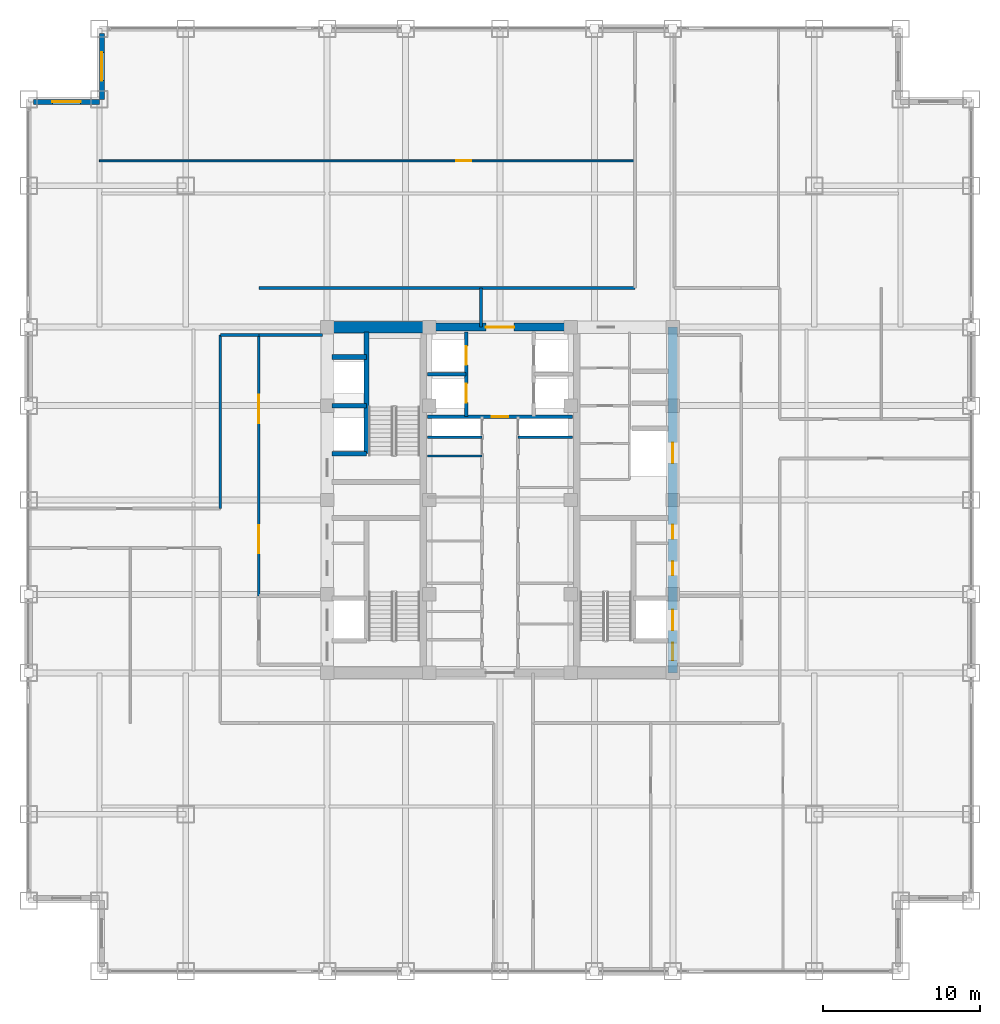
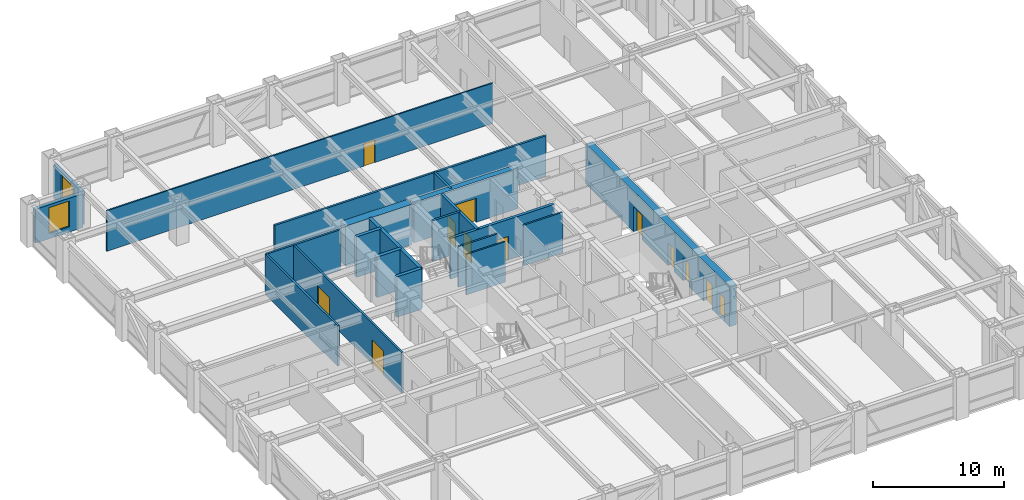
# One storey, part 22 of 25: 22 walls, 12 doors, 2 windows, 14 openings.
"""IFC4 building model written with IfcOpenShell, lengths in metres."""

from ifc_helpers import new_model, si_unit, direction, frame, frame_2d, origin, place, context, subcontext, project, spatial, rectangle, extrude, source, transform, mapped, material, layer, layer_set, type_object, element, fill, save


model = new_model("IFC4")

# Units and contexts
model_context = context("Model", 3, precision=1e-05, world=origin(), true_north=direction((0.0, 1.0)))
body_context = subcontext(model_context, "Body", "Model", "MODEL_VIEW")
ifc_project = project(units=[si_unit("LENGTHUNIT", "METRE"), si_unit("AREAUNIT", "SQUARE_METRE"), si_unit("VOLUMEUNIT", "CUBIC_METRE"), si_unit("PLANEANGLEUNIT", "RADIAN"), si_unit("MASSUNIT", "GRAM", prefix="KILO")], contexts=[model_context])

# Site, building, storey
site_placement = place(None, origin())
site = spatial("IfcSite", under=ifc_project, at=site_placement, CompositionType="ELEMENT")
building_placement = place(site_placement, origin())
building = spatial("IfcBuilding", under=site, at=building_placement, Name="Khorayat Bourse Tower", CompositionType="ELEMENT")
storey_placement = place(building_placement, frame((0.0, 0.0, 199.10009765625)))
storey = spatial("IfcBuildingStorey", under=building, at=storey_placement, Name="L46", CompositionType="ELEMENT", Elevation=199.10009765625)

# Wall, openings, doors
ifc_material_1 = material(Name="Concrete C60/75", Category="concrete")
ifc_layer_1 = layer(ifc_material_1, 0.60009765625)
ifc_layer_set_1 = layer_set([ifc_layer_1], Name="Concrete C60/75")
wall_type_1 = type_object("IfcWallType", Name="WAL-CORE-600", PredefinedType="SHEAR", material=ifc_layer_set_1)
shared_shape_1 = source(origin(), body_context, "Body", "SweptSolid", [
    extrude(rectangle(XDim=22.0, YDim=0.60009765625, at=frame_2d((11.0, 0.0))), origin(), (0.0, 0.0, 1.0), 3.77978515625),
])
wall_1_placement = place(storey_placement, frame((11.0, -11.0, 0.0), z_axis=(0.0, 0.0, 1.0), x_axis=(0.0, 1.0, 0.0)))
wall_1 = element("IfcWall", 1, at=wall_1_placement, inside=storey, type_object=wall_type_1, Name="L46 Core Shear Wall CORE-E", PredefinedType="SHEAR", context=body_context, shape_type="MappedRepresentation", body=[
    mapped(shared_shape_1, transform((0.0, 0.0, 0.0), scale=1.0)),
])
shared_shape_2 = source(origin(), body_context, "Body", "SweptSolid", [
    extrude(rectangle(XDim=1.10009765625, YDim=2.199951171875, at=frame_2d((0.550048828125, 1.10009765625))), frame((0.0, 0.31005859375, 0.0), z_axis=(0.0, -1.0, 0.0), x_axis=(1.0, 0.0, 0.0)), (0.0, 0.0, 1.0), 0.6201171875),
])
opening_1_placement = place(wall_1_placement, frame((0.800048828125, 0.0, 0.0)))
opening_1 = element("IfcOpeningElement", 2, at=opening_1_placement, cuts=wall_1, Name="Opening DI-01", PredefinedType="OPENING", context=body_context, shape_type="MappedRepresentation", body=[
    mapped(shared_shape_2, transform((0.0, 0.0, 0.0), scale=1.0)),
])
shared_shape_3 = source(origin(), body_context, "Body", "SweptSolid", [
    extrude(rectangle(XDim=0.89990234375, YDim=2.14990234375, at=frame_2d((0.449951171875, 1.074951171875))), frame((0.0, 0.31005859375, 0.0), z_axis=(0.0, -1.0, 0.0), x_axis=(1.0, 0.0, 0.0)), (0.0, 0.0, 1.0), 0.6201171875),
])
opening_2_placement = place(wall_1_placement, frame((6.199951171875, 0.0, 0.0)))
opening_2 = element("IfcOpeningElement", 3, at=opening_2_placement, cuts=wall_1, Name="Opening DI-06", PredefinedType="OPENING", context=body_context, shape_type="MappedRepresentation", body=[
    mapped(shared_shape_3, transform((0.0, 0.0, 0.0), scale=1.0)),
])
opening_3_placement = place(wall_1_placement, frame((8.52490234375, 0.0, 0.0)))
opening_3 = element("IfcOpeningElement", 4, at=opening_3_placement, cuts=wall_1, Name="Opening DI-06", PredefinedType="OPENING", context=body_context, shape_type="MappedRepresentation", body=[
    mapped(shared_shape_3, transform((0.0, 0.0, 0.0), scale=1.0)),
])
shared_shape_4 = source(origin(), body_context, "Body", "SweptSolid", [
    extrude(rectangle(XDim=1.300048828125, YDim=2.300048828125, at=frame_2d((0.64990234375, 1.14990234375))), frame((0.0, 0.31005859375, 0.0), z_axis=(0.0, -1.0, 0.0), x_axis=(1.0, 0.0, 0.0)), (0.0, 0.0, 1.0), 0.6201171875),
])
opening_4_placement = place(wall_1_placement, frame((2.699951171875, 0.0, 0.0)))
opening_4 = element("IfcOpeningElement", 5, at=opening_4_placement, cuts=wall_1, Name="Opening LD-02", PredefinedType="OPENING", context=body_context, shape_type="MappedRepresentation", body=[
    mapped(shared_shape_4, transform((0.0, 0.0, 0.0), scale=1.0)),
])
opening_5_placement = place(wall_1_placement, frame((13.35009765625, 0.0, 0.0)))
opening_5 = element("IfcOpeningElement", 6, at=opening_5_placement, cuts=wall_1, Name="Opening LD-02", PredefinedType="OPENING", context=body_context, shape_type="MappedRepresentation", body=[
    mapped(shared_shape_4, transform((0.0, 0.0, 0.0), scale=1.0)),
])
ifc_material_2 = material(Name="Fire-rated steel acoustic leaf", Category="steel")
door_type_1 = type_object("IfcDoorType", Name="DR-INT-STAIR-1100", OperationType="NOTDEFINED", PredefinedType="DOOR", material=ifc_material_2)
shared_shape_5 = source(origin(), body_context, "Body", "SweptSolid", [
    extrude(rectangle(XDim=1.10009765625, YDim=2.199951171875, at=frame_2d((0.550048828125, 1.10009765625))), frame((0.0, 0.02490234375, 0.0), z_axis=(0.0, -1.0, 0.0), x_axis=(1.0, 0.0, 0.0)), (0.0, 0.0, 1.0), 0.050048828125),
])
door_1_placement = place(opening_1_placement, origin())
door_1 = element("IfcDoor", 7, at=door_1_placement, inside=storey, type_object=door_type_1, Name="L46 Exit Stair 3 Door", OperationType="SINGLE_SWING_LEFT", OverallHeight=2.199951171875, OverallWidth=1.10009765625, PredefinedType="DOOR", context=body_context, shape_type="MappedRepresentation", body=[
    mapped(shared_shape_5, transform((0.0, 0.0, 0.0), scale=1.0)),
])
fill(opening_1, door_1)
ifc_material_3 = material(Name="Moisture-resistant laminate washroom door")
door_type_2 = type_object("IfcDoorType", Name="DR-INT-WC-900", OperationType="NOTDEFINED", PredefinedType="DOOR", material=ifc_material_3)
shared_shape_6 = source(origin(), body_context, "Body", "SweptSolid", [
    extrude(rectangle(XDim=0.89990234375, YDim=2.14990234375, at=frame_2d((0.449951171875, 1.074951171875))), frame((0.0, 0.02490234375, 0.0), z_axis=(0.0, -1.0, 0.0), x_axis=(1.0, 0.0, 0.0)), (0.0, 0.0, 1.0), 0.050048828125),
])
door_2_placement = place(opening_2_placement, origin())
door_2 = element("IfcDoor", 8, at=door_2_placement, inside=storey, type_object=door_type_2, Name="L46 Telecom Closet Door", OperationType="SINGLE_SWING_LEFT", OverallHeight=2.14990234375, OverallWidth=0.89990234375, PredefinedType="DOOR", context=body_context, shape_type="MappedRepresentation", body=[
    mapped(shared_shape_6, transform((0.0, 0.0, 0.0), scale=1.0)),
])
fill(opening_2, door_2)
door_3_placement = place(opening_3_placement, origin())
door_3 = element("IfcDoor", 9, at=door_3_placement, inside=storey, type_object=door_type_2, Name="L46 Stationery Store Door", OperationType="SINGLE_SWING_RIGHT", OverallHeight=2.14990234375, OverallWidth=0.89990234375, PredefinedType="DOOR", context=body_context, shape_type="MappedRepresentation", body=[
    mapped(shared_shape_6, transform((0.0, 0.0, 0.0), scale=1.0)),
])
fill(opening_3, door_3)
ifc_material_4 = material(Name="Fire-rated stainless-steel sliding landing door", Category="steel")
door_type_3 = type_object("IfcDoorType", Name="DR-LIFT-FF-1300", OperationType="NOTDEFINED", PredefinedType="DOOR", material=ifc_material_4)
shared_shape_7 = source(origin(), body_context, "Body", "SweptSolid", [
    extrude(rectangle(XDim=1.300048828125, YDim=2.300048828125, at=frame_2d((0.64990234375, 1.14990234375))), frame((0.0, 0.02490234375, 0.0), z_axis=(0.0, -1.0, 0.0), x_axis=(1.0, 0.0, 0.0)), (0.0, 0.0, 1.0), 0.050048828125),
])
door_4_placement = place(opening_4_placement, origin())
door_4 = element("IfcDoor", 10, at=door_4_placement, inside=storey, type_object=door_type_3, Name="L46 Lift FFL-02 Sliding Landing Door", OperationType="SLIDING_TO_LEFT", OverallHeight=2.300048828125, OverallWidth=1.300048828125, PredefinedType="DOOR", context=body_context, shape_type="MappedRepresentation", body=[
    mapped(shared_shape_7, transform((0.0, 0.0, 0.0), scale=1.0)),
])
fill(opening_4, door_4)
door_5_placement = place(opening_5_placement, origin())
door_5 = element("IfcDoor", 11, at=door_5_placement, inside=storey, type_object=door_type_3, Name="L46 Lift SVL-01 Sliding Landing Door", OperationType="SLIDING_TO_LEFT", OverallHeight=2.300048828125, OverallWidth=1.300048828125, PredefinedType="DOOR", context=body_context, shape_type="MappedRepresentation", body=[
    mapped(shared_shape_7, transform((0.0, 0.0, 0.0), scale=1.0)),
])
fill(opening_5, door_5)

# Wall
ifc_material_5 = material(Name="Concrete C72/90", Category="concrete")
ifc_layer_2 = layer(ifc_material_5, 0.75)
ifc_layer_set_2 = layer_set([ifc_layer_2], Name="Concrete C72/90")
wall_type_2 = type_object("IfcWallType", Name="WAL-CORE-750", PredefinedType="SHEAR", material=ifc_layer_set_2)
shared_shape_8 = source(origin(), body_context, "Body", "SweptSolid", [
    extrude(rectangle(XDim=5.849853515625, YDim=0.75, at=frame_2d((2.9248046875, 0.0))), origin(), (0.0, 0.0, 1.0), 3.77978515625),
])
wall_2_placement = place(storey_placement, frame((-10.699951171875, 11.0, 0.0), z_axis=(0.0, 0.0, 1.0), x_axis=(1.0, 0.0, 0.0)))
element("IfcWall", 12, at=wall_2_placement, inside=storey, type_object=wall_type_2, Name="L46 Core Shear Wall PIER-WN", PredefinedType="SHEAR", context=body_context, shape_type="MappedRepresentation", body=[
    mapped(shared_shape_8, transform((0.0, 0.0, 0.0), scale=1.0)),
])

# Wall, opening, door
ifc_material_6 = material(Name="Concrete C52/65", Category="concrete")
ifc_layer_3 = layer(ifc_material_6, 0.5)
ifc_layer_set_3 = layer_set([ifc_layer_3], Name="Concrete C52/65")
wall_type_3 = type_object("IfcWallType", Name="WAL-CORE-500", PredefinedType="SHEAR", material=ifc_layer_set_3)
shared_shape_9 = source(origin(), body_context, "Body", "SweptSolid", [
    extrude(rectangle(XDim=9.2001953125, YDim=0.5, at=frame_2d((4.60009765625, 0.0))), origin(), (0.0, 0.0, 1.0), 3.77978515625),
])
wall_3_placement = place(storey_placement, frame((-4.60009765625, 11.0, 0.0), z_axis=(0.0, 0.0, 1.0), x_axis=(1.0, 0.0, 0.0)))
wall_3 = element("IfcWall", 13, at=wall_3_placement, inside=storey, type_object=wall_type_3, Name="L46 Core Shear Wall CORE-N", PredefinedType="SHEAR", context=body_context, shape_type="MappedRepresentation", body=[
    mapped(shared_shape_9, transform((0.0, 0.0, 0.0), scale=1.0)),
])
shared_shape_10 = source(origin(), body_context, "Body", "SweptSolid", [
    extrude(rectangle(XDim=1.800048828125, YDim=2.25, at=frame_2d((0.89990234375, 1.125))), frame((0.0, 0.260009765625, 0.0), z_axis=(0.0, -1.0, 0.0), x_axis=(1.0, 0.0, 0.0)), (0.0, 0.0, 1.0), 0.52001953125),
])
opening_6_placement = place(wall_3_placement, frame((3.699951171875, 0.0, 0.0)))
opening_6 = element("IfcOpeningElement", 14, at=opening_6_placement, cuts=wall_3, Name="Opening DI-03", PredefinedType="OPENING", context=body_context, shape_type="MappedRepresentation", body=[
    mapped(shared_shape_10, transform((0.0, 0.0, 0.0), scale=1.0)),
])
ifc_material_7 = material(Name="Fire-rated hardwood vision-panel double leaf", Category="wood")
door_type_4 = type_object("IfcDoorType", Name="DR-INT-CORR-1800", OperationType="NOTDEFINED", PredefinedType="DOOR", material=ifc_material_7)
shared_shape_11 = source(origin(), body_context, "Body", "SweptSolid", [
    extrude(rectangle(XDim=1.800048828125, YDim=2.25, at=frame_2d((0.89990234375, 1.125))), frame((0.0, 0.02490234375, 0.0), z_axis=(0.0, -1.0, 0.0), x_axis=(1.0, 0.0, 0.0)), (0.0, 0.0, 1.0), 0.050048828125),
])
door_6_placement = place(opening_6_placement, origin())
door_6 = element("IfcDoor", 15, at=door_6_placement, inside=storey, type_object=door_type_4, Name="L46 Mid-Rise Lift Lobby Door", OperationType="SINGLE_SWING_RIGHT", OverallHeight=2.25, OverallWidth=1.800048828125, PredefinedType="DOOR", context=body_context, shape_type="MappedRepresentation", body=[
    mapped(shared_shape_11, transform((0.0, 0.0, 0.0), scale=1.0)),
])
fill(opening_6, door_6)

# Wall, opening, window
ifc_material_8 = material(Name="Precast concrete C45/55", Category="concrete")
ifc_layer_4 = layer(ifc_material_8, 0.320068359375)
ifc_layer_set_4 = layer_set([ifc_layer_4], Name="Precast concrete C45/55")
wall_type_4 = type_object("IfcWallType", Name="WAL-EXT-STONE-320", PredefinedType="STANDARD", material=ifc_layer_set_4)
shared_shape_12 = source(origin(), body_context, "Body", "SweptSolid", [
    extrude(rectangle(XDim=4.179931640625, YDim=0.320068359375, at=frame_2d((2.08984375, 0.0))), origin(), (0.0, 0.0, 1.0), 3.163818359375),
])
wall_4_placement = place(storey_placement, frame((-25.340087890625, 25.5, 0.0), z_axis=(0.0, 0.0, 1.0), x_axis=(0.0, 1.0, 0.0)))
wall_4 = element("IfcWall", 16, at=wall_4_placement, inside=storey, type_object=wall_type_4, Name="L46 Re-Entrant Notch Limestone Wall NW-V", PredefinedType="STANDARD", context=body_context, shape_type="MappedRepresentation", body=[
    mapped(shared_shape_12, transform((0.0, 0.0, 0.0), scale=1.0)),
])
shared_shape_13 = source(origin(), body_context, "Body", "SweptSolid", [
    extrude(rectangle(XDim=1.800048828125, YDim=2.39990234375, at=frame_2d((0.89990234375, 1.199951171875))), frame((0.0, 0.169921875, 0.0), z_axis=(0.0, -1.0, 0.0), x_axis=(1.0, 0.0, 0.0)), (0.0, 0.0, 1.0), 0.340087890625),
])
opening_7_placement = place(wall_4_placement, frame((1.18994140625, 0.0, 0.5)))
opening_7 = element("IfcOpeningElement", 17, at=opening_7_placement, cuts=wall_4, Name="Opening WN-04", PredefinedType="OPENING", context=body_context, shape_type="MappedRepresentation", body=[
    mapped(shared_shape_13, transform((0.0, 0.0, 0.0), scale=1.0)),
])
ifc_material_9 = material(Name="Low-E acoustic laminated double glazing", Category="glass")
window_type = type_object("IfcWindowType", Name="WIN-NOTCH-1800x2400", PartitioningType="SINGLE_PANEL", PredefinedType="WINDOW", material=ifc_material_9)
shared_shape_14 = source(origin(), body_context, "Body", "SweptSolid", [
    extrude(rectangle(XDim=1.800048828125, YDim=2.39990234375, at=frame_2d((0.89990234375, 1.199951171875))), frame((0.0, 0.030029296875, 0.0), z_axis=(0.0, -1.0, 0.0), x_axis=(1.0, 0.0, 0.0)), (0.0, 0.0, 1.0), 0.06005859375),
])
window_1_placement = place(opening_7_placement, origin())
window_1 = element("IfcWindow", 18, at=window_1_placement, inside=storey, type_object=window_type, Name="L46 Facade Window 1", OverallHeight=2.39990234375, OverallWidth=1.800048828125, PartitioningType="SINGLE_PANEL", PredefinedType="WINDOW", context=body_context, shape_type="MappedRepresentation", body=[
    mapped(shared_shape_14, transform((0.0, 0.0, 0.0), scale=1.0)),
])
fill(opening_7, window_1)

wall_5_placement = place(storey_placement, frame((-25.5, 25.340087890625, 0.0), z_axis=(0.0, 0.0, 1.0), x_axis=(-1.0, 0.0, 0.0)))
wall_5 = element("IfcWall", 19, at=wall_5_placement, inside=storey, type_object=wall_type_4, Name="L46 Re-Entrant Notch Limestone Wall NW-H", PredefinedType="STANDARD", context=body_context, shape_type="MappedRepresentation", body=[
    mapped(shared_shape_12, transform((0.0, 0.0, 0.0), scale=1.0)),
])
opening_8_placement = place(wall_5_placement, frame((1.18994140625, 0.0, 0.5)))
opening_8 = element("IfcOpeningElement", 20, at=opening_8_placement, cuts=wall_5, Name="Opening WN-04", PredefinedType="OPENING", context=body_context, shape_type="MappedRepresentation", body=[
    mapped(shared_shape_13, transform((0.0, 0.0, 0.0), scale=1.0)),
])
window_2_placement = place(opening_8_placement, origin())
window_2 = element("IfcWindow", 21, at=window_2_placement, inside=storey, type_object=window_type, Name="L46 Facade Window 1", OverallHeight=2.39990234375, OverallWidth=1.800048828125, PartitioningType="SINGLE_PANEL", PredefinedType="WINDOW", context=body_context, shape_type="MappedRepresentation", body=[
    mapped(shared_shape_14, transform((0.0, 0.0, 0.0), scale=1.0)),
])
fill(opening_8, window_2)

# Walls
ifc_material_10 = material(Name="Concrete C50/60", Category="concrete")
ifc_layer_5 = layer(ifc_material_10, 0.300048828125)
ifc_layer_set_5 = layer_set([ifc_layer_5], Name="Concrete C50/60")
wall_type_5 = type_object("IfcWallType", Name="WAL-SHAFT-300", PredefinedType="SHEAR", material=ifc_layer_set_5)
shared_shape_15 = source(origin(), body_context, "Body", "SweptSolid", [
    extrude(rectangle(XDim=2.199951171875, YDim=0.300048828125, at=frame_2d((1.10009765625, 0.0))), origin(), (0.0, 0.0, 1.0), 3.77978515625),
])
for number, where, z_axis, x_axis, name in (
    (22, (-10.699951171875, 2.949951171875, 0.0), (0.0, 0.0, 1.0), (1.0, 0.0, 0.0), "L46 Partition WAL-L46-WPIER-H1S"),
    (23, (-10.699951171875, 6.0, 0.0), (0.0, 0.0, 1.0), (1.0, 0.0, 0.0), "L46 Partition WAL-L46-WPIER-H12"),
    (24, (-10.699951171875, 9.10009765625, 0.0), (0.0, 0.0, 1.0), (1.0, 0.0, 0.0), "L46 Partition WAL-L46-WPIER-H2N"),
):
    element("IfcWall", number, at=place(storey_placement, frame(where, z_axis=z_axis, x_axis=x_axis)), inside=storey, type_object=wall_type_5, Name=name, PredefinedType="SHEAR", context=body_context, shape_type="MappedRepresentation", body=[
        mapped(shared_shape_15, transform((0.0, 0.0, 0.0), scale=1.0)),
    ])
shared_shape_16 = source(origin(), body_context, "Body", "SweptSolid", [
    extrude(rectangle(XDim=7.75, YDim=0.300048828125, at=frame_2d((3.875, 0.0))), origin(), (0.0, 0.0, 1.0), 3.77978515625),
])
wall_6_placement = place(storey_placement, frame((-8.5, 2.949951171875, 0.0), z_axis=(0.0, 0.0, 1.0), x_axis=(0.0, 1.0, 0.0)))
element("IfcWall", 25, at=wall_6_placement, inside=storey, type_object=wall_type_5, Name="L46 Partition WAL-L46-WPIER-ST2S", PredefinedType="SHEAR", context=body_context, shape_type="MappedRepresentation", body=[
    mapped(shared_shape_16, transform((0.0, 0.0, 0.0), scale=1.0)),
])
ifc_material_11 = material(Name="Gypsum plasterboard acoustic stud wall")
ifc_layer_6 = layer(ifc_material_11, 0.179931640625)
ifc_layer_set_6 = layer_set([ifc_layer_6], Name="Gypsum plasterboard acoustic stud wall")
wall_type_6 = type_object("IfcWallType", Name="WAL-PART-CORR-180", PredefinedType="PARTITIONING", material=ifc_layer_set_6)
shared_shape_17 = source(origin(), body_context, "Body", "SweptSolid", [
    extrude(rectangle(XDim=4.050048828125, YDim=0.179931640625, at=frame_2d((2.02490234375, 0.0))), origin(), (0.0, 0.0, 1.0), 3.77978515625),
])
wall_7_placement = place(storey_placement, frame((-15.35009765625, 10.5, 0.0), z_axis=(0.0, 0.0, 1.0), x_axis=(1.0, 0.0, 0.0)))
element("IfcWall", 26, at=wall_7_placement, inside=storey, type_object=wall_type_6, Name="L46 Partition WAL-L46-WLOB-N", PredefinedType="PARTITIONING", context=body_context, shape_type="MappedRepresentation", body=[
    mapped(shared_shape_17, transform((0.0, 0.0, 0.0), scale=1.0)),
])

# Wall, openings, doors
shared_shape_18 = source(origin(), body_context, "Body", "SweptSolid", [
    extrude(rectangle(XDim=16.60009765625, YDim=0.179931640625, at=frame_2d((8.300048828125, 0.0))), origin(), (0.0, 0.0, 1.0), 3.77978515625),
])
wall_8_placement = place(storey_placement, frame((-15.35009765625, -6.10009765625, 0.0), z_axis=(0.0, 0.0, 1.0), x_axis=(0.0, 1.0, 0.0)))
wall_8 = element("IfcWall", 27, at=wall_8_placement, inside=storey, type_object=wall_type_6, Name="L46 Partition WAL-L46-WLOB-W", PredefinedType="PARTITIONING", context=body_context, shape_type="MappedRepresentation", body=[
    mapped(shared_shape_18, transform((0.0, 0.0, 0.0), scale=1.0)),
])
shared_shape_19 = source(origin(), body_context, "Body", "SweptSolid", [
    extrude(rectangle(XDim=1.800048828125, YDim=2.25, at=frame_2d((0.89990234375, 1.125))), frame((0.0, 0.099853515625, 0.0), z_axis=(0.0, -1.0, 0.0), x_axis=(1.0, 0.0, 0.0)), (0.0, 0.0, 1.0), 0.199951171875),
])
opening_9_placement = place(wall_8_placement, frame((2.699951171875, 0.0, 0.0)))
opening_9 = element("IfcOpeningElement", 28, at=opening_9_placement, cuts=wall_8, Name="Opening DI-03", PredefinedType="OPENING", context=body_context, shape_type="MappedRepresentation", body=[
    mapped(shared_shape_19, transform((0.0, 0.0, 0.0), scale=1.0)),
])
opening_10_placement = place(wall_8_placement, frame((11.0, 0.0, 0.0)))
opening_10 = element("IfcOpeningElement", 29, at=opening_10_placement, cuts=wall_8, Name="Opening DI-03", PredefinedType="OPENING", context=body_context, shape_type="MappedRepresentation", body=[
    mapped(shared_shape_19, transform((0.0, 0.0, 0.0), scale=1.0)),
])
door_7_placement = place(opening_9_placement, origin())
door_7 = element("IfcDoor", 30, at=door_7_placement, inside=storey, type_object=door_type_4, Name="L46 West Core Lobby South Door", OperationType="SINGLE_SWING_LEFT", OverallHeight=2.25, OverallWidth=1.800048828125, PredefinedType="DOOR", context=body_context, shape_type="MappedRepresentation", body=[
    mapped(shared_shape_11, transform((0.0, 0.0, 0.0), scale=1.0)),
])
fill(opening_9, door_7)
door_8_placement = place(opening_10_placement, origin())
door_8 = element("IfcDoor", 31, at=door_8_placement, inside=storey, type_object=door_type_4, Name="L46 West Core Lobby North Door", OperationType="SINGLE_SWING_RIGHT", OverallHeight=2.25, OverallWidth=1.800048828125, PredefinedType="DOOR", context=body_context, shape_type="MappedRepresentation", body=[
    mapped(shared_shape_11, transform((0.0, 0.0, 0.0), scale=1.0)),
])
fill(opening_10, door_8)

# Walls
ifc_material_12 = material(Name="Gypsum plasterboard twin-frame partition")
ifc_layer_7 = layer(ifc_material_12, 0.14990234375)
ifc_layer_set_7 = layer_set([ifc_layer_7], Name="Gypsum plasterboard twin-frame partition")
wall_type_7 = type_object("IfcWallType", Name="WAL-PART-SUITE-150", PredefinedType="PARTITIONING", material=ifc_layer_set_7)
shared_shape_20 = source(origin(), body_context, "Body", "SweptSolid", [
    extrude(rectangle(XDim=3.4501953125, YDim=0.14990234375, at=frame_2d((1.72509765625, 0.0))), origin(), (0.0, 0.0, 1.0), 3.77978515625),
])
for number, where, z_axis, x_axis, name in (
    (32, (-4.60009765625, 4.0, 0.0), (0.0, 0.0, 1.0), (1.0, 0.0, 0.0), "L46 Partition WAL-L46-CRSW-S"),
    (33, (1.14990234375, 4.0, 0.0), (0.0, 0.0, 1.0), (1.0, 0.0, 0.0), "L46 Partition WAL-L46-CRSE-S"),
):
    element("IfcWall", number, at=place(storey_placement, frame(where, z_axis=z_axis, x_axis=x_axis)), inside=storey, type_object=wall_type_7, Name=name, PredefinedType="PARTITIONING", context=body_context, shape_type="MappedRepresentation", body=[
        mapped(shared_shape_20, transform((0.0, 0.0, 0.0), scale=1.0)),
    ])
ifc_material_13 = material(Name="Moisture-resistant masonry partition", Category="masonry")
ifc_layer_8 = layer(ifc_material_13, 0.139892578125)
ifc_layer_set_8 = layer_set([ifc_layer_8], Name="Moisture-resistant masonry partition")
wall_type_8 = type_object("IfcWallType", Name="WAL-PART-WET-140", PredefinedType="PARTITIONING", material=ifc_layer_set_8)
shared_shape_21 = source(origin(), body_context, "Body", "SweptSolid", [
    extrude(rectangle(XDim=3.4501953125, YDim=0.139892578125, at=frame_2d((1.72509765625, 0.0))), origin(), (0.0, 0.0, 1.0), 3.77978515625),
])
wall_9_placement = place(storey_placement, frame((-4.60009765625, 2.800048828125, 0.0), z_axis=(0.0, 0.0, 1.0), x_axis=(1.0, 0.0, 0.0)))
element("IfcWall", 34, at=wall_9_placement, inside=storey, type_object=wall_type_8, Name="L46 Partition WAL-L46-CMW-D3", PredefinedType="PARTITIONING", context=body_context, shape_type="MappedRepresentation", body=[
    mapped(shared_shape_21, transform((0.0, 0.0, 0.0), scale=1.0)),
])

# Wall, openings, doors
shared_shape_22 = source(origin(), body_context, "Body", "SweptSolid", [
    extrude(rectangle(XDim=5.39990234375, YDim=0.25, at=frame_2d((2.699951171875, 0.0))), origin(), (0.0, 0.0, 1.0), 3.77978515625),
])
wall_10_placement = place(storey_placement, frame((-2.14990234375, 5.300048828125, 0.0), z_axis=(0.0, 0.0, 1.0), x_axis=(0.0, 1.0, 0.0)))
wall_10 = element("IfcWall", 35, at=wall_10_placement, inside=storey, type_object=wall_type_5, Name="L46 Partition WAL-L46-B2-W", PredefinedType="SHEAR", context=body_context, shape_type="MappedRepresentation", body=[
    mapped(shared_shape_22, transform((0.0, 0.0, 0.0), scale=1.0)),
])
shared_shape_23 = source(origin(), body_context, "Body", "SweptSolid", [
    extrude(rectangle(XDim=1.199951171875, YDim=2.300048828125, at=frame_2d((0.60009765625, 1.14990234375))), frame((0.0, 0.135009765625, 0.0), z_axis=(0.0, -1.0, 0.0), x_axis=(1.0, 0.0, 0.0)), (0.0, 0.0, 1.0), 0.27001953125),
])
opening_11_placement = place(wall_10_placement, frame((3.300048828125, 0.0, 0.0)))
opening_11 = element("IfcOpeningElement", 36, at=opening_11_placement, cuts=wall_10, Name="Opening LD-01", PredefinedType="OPENING", context=body_context, shape_type="MappedRepresentation", body=[
    mapped(shared_shape_23, transform((0.0, 0.0, 0.0), scale=1.0)),
])
opening_12_placement = place(wall_10_placement, frame((0.89990234375, 0.0, 0.0)))
opening_12 = element("IfcOpeningElement", 37, at=opening_12_placement, cuts=wall_10, Name="Opening LD-01", PredefinedType="OPENING", context=body_context, shape_type="MappedRepresentation", body=[
    mapped(shared_shape_23, transform((0.0, 0.0, 0.0), scale=1.0)),
])
ifc_material_14 = material(Name="Brushed bronze stainless-steel sliding door", Category="steel")
door_type_5 = type_object("IfcDoorType", Name="DR-LIFT-PASS-1200", OperationType="NOTDEFINED", PredefinedType="DOOR", material=ifc_material_14)
shared_shape_24 = source(origin(), body_context, "Body", "SweptSolid", [
    extrude(rectangle(XDim=1.199951171875, YDim=2.300048828125, at=frame_2d((0.60009765625, 1.14990234375))), frame((0.0, 0.02490234375, 0.0), z_axis=(0.0, -1.0, 0.0), x_axis=(1.0, 0.0, 0.0)), (0.0, 0.0, 1.0), 0.050048828125),
])
door_9_placement = place(opening_11_placement, origin())
door_9 = element("IfcDoor", 38, at=door_9_placement, inside=storey, type_object=door_type_5, Name="L46 Lift PL-M1 Sliding Landing Door", OperationType="SLIDING_TO_LEFT", OverallHeight=2.300048828125, OverallWidth=1.199951171875, PredefinedType="DOOR", context=body_context, shape_type="MappedRepresentation", body=[
    mapped(shared_shape_24, transform((0.0, 0.0, 0.0), scale=1.0)),
])
fill(opening_11, door_9)
door_10_placement = place(opening_12_placement, origin())
door_10 = element("IfcDoor", 39, at=door_10_placement, inside=storey, type_object=door_type_5, Name="L46 Lift PL-M3 Sliding Landing Door", OperationType="SLIDING_TO_LEFT", OverallHeight=2.300048828125, OverallWidth=1.199951171875, PredefinedType="DOOR", context=body_context, shape_type="MappedRepresentation", body=[
    mapped(shared_shape_24, transform((0.0, 0.0, 0.0), scale=1.0)),
])
fill(opening_12, door_10)

# Wall
shared_shape_25 = source(origin(), body_context, "Body", "SweptSolid", [
    extrude(rectangle(XDim=2.4501953125, YDim=0.199951171875, at=frame_2d((1.22509765625, 0.0))), origin(), (0.0, 0.0, 1.0), 3.77978515625),
])
wall_11_placement = place(storey_placement, frame((-4.60009765625, 8.0, 0.0), z_axis=(0.0, 0.0, 1.0), x_axis=(1.0, 0.0, 0.0)))
element("IfcWall", 40, at=wall_11_placement, inside=storey, type_object=wall_type_5, Name="L46 Partition WAL-L46-B2-MW", PredefinedType="SHEAR", context=body_context, shape_type="MappedRepresentation", body=[
    mapped(shared_shape_25, transform((0.0, 0.0, 0.0), scale=1.0)),
])

# Wall, opening, door
shared_shape_26 = source(origin(), body_context, "Body", "SweptSolid", [
    extrude(rectangle(XDim=9.2001953125, YDim=0.25, at=frame_2d((4.60009765625, 0.0))), origin(), (0.0, 0.0, 1.0), 3.77978515625),
])
wall_12_placement = place(storey_placement, frame((-4.60009765625, 5.300048828125, 0.0), z_axis=(0.0, 0.0, 1.0), x_axis=(1.0, 0.0, 0.0)))
wall_12 = element("IfcWall", 41, at=wall_12_placement, inside=storey, type_object=wall_type_5, Name="L46 Partition WAL-L46-B2-S", PredefinedType="SHEAR", context=body_context, shape_type="MappedRepresentation", body=[
    mapped(shared_shape_26, transform((0.0, 0.0, 0.0), scale=1.0)),
])
shared_shape_27 = source(origin(), body_context, "Body", "SweptSolid", [
    extrude(rectangle(XDim=1.050048828125, YDim=2.199951171875, at=frame_2d((0.52490234375, 1.10009765625))), frame((0.0, 0.135009765625, 0.0), z_axis=(0.0, -1.0, 0.0), x_axis=(1.0, 0.0, 0.0)), (0.0, 0.0, 1.0), 0.27001953125),
])
opening_13_placement = place(wall_12_placement, frame((4.074951171875, 0.0, 0.0)))
opening_13 = element("IfcOpeningElement", 42, at=opening_13_placement, cuts=wall_12, Name="Opening DI-04", PredefinedType="OPENING", context=body_context, shape_type="MappedRepresentation", body=[
    mapped(shared_shape_27, transform((0.0, 0.0, 0.0), scale=1.0)),
])
ifc_material_15 = material(Name="Fire-rated oak veneer suite entrance door")
door_type_6 = type_object("IfcDoorType", Name="DR-INT-SUITE-1050", OperationType="NOTDEFINED", PredefinedType="DOOR", material=ifc_material_15)
shared_shape_28 = source(origin(), body_context, "Body", "SweptSolid", [
    extrude(rectangle(XDim=1.050048828125, YDim=2.199951171875, at=frame_2d((0.52490234375, 1.10009765625))), frame((0.0, 0.02490234375, 0.0), z_axis=(0.0, -1.0, 0.0), x_axis=(1.0, 0.0, 0.0)), (0.0, 0.0, 1.0), 0.050048828125),
])
door_11_placement = place(opening_13_placement, origin())
door_11 = element("IfcDoor", 43, at=door_11_placement, inside=storey, type_object=door_type_6, Name="L46 Core Spine North Door", OperationType="SINGLE_SWING_RIGHT", OverallHeight=2.199951171875, OverallWidth=1.050048828125, PredefinedType="DOOR", context=body_context, shape_type="MappedRepresentation", body=[
    mapped(shared_shape_28, transform((0.0, 0.0, 0.0), scale=1.0)),
])
fill(opening_13, door_11)

# Walls
shared_shape_29 = source(origin(), body_context, "Body", "SweptSolid", [
    extrude(rectangle(XDim=2.449951171875, YDim=0.179931640625, at=frame_2d((1.22509765625, 0.0))), origin(), (0.0, 0.0, 1.0), 3.77978515625),
])
wall_13_placement = place(storey_placement, frame((-17.800048828125, 10.5, 0.0), z_axis=(0.0, 0.0, 1.0), x_axis=(1.0, 0.0, 0.0)))
element("IfcWall", 44, at=wall_13_placement, inside=storey, type_object=wall_type_6, Name="L46 Partition WAL-L46-C2-WN", PredefinedType="PARTITIONING", context=body_context, shape_type="MappedRepresentation", body=[
    mapped(shared_shape_29, transform((0.0, 0.0, 0.0), scale=1.0)),
])
shared_shape_30 = source(origin(), body_context, "Body", "SweptSolid", [
    extrude(rectangle(XDim=2.5, YDim=0.179931640625, at=frame_2d((1.25, 0.0))), origin(), (0.0, 0.0, 1.0), 3.77978515625),
])
wall_14_placement = place(storey_placement, frame((-1.199951171875, 11.0, 0.0), z_axis=(0.0, 0.0, 1.0), x_axis=(0.0, 1.0, 0.0)))
element("IfcWall", 45, at=wall_14_placement, inside=storey, type_object=wall_type_6, Name="L46 Partition WAL-L46-C2-NCW", PredefinedType="PARTITIONING", context=body_context, shape_type="MappedRepresentation", body=[
    mapped(shared_shape_30, transform((0.0, 0.0, 0.0), scale=1.0)),
])

# Wall, opening, door
ifc_material_16 = material(Name="Gypsum plasterboard partition")
ifc_layer_9 = layer(ifc_material_16, 0.125)
ifc_layer_set_9 = layer_set([ifc_layer_9], Name="Gypsum plasterboard partition")
wall_type_9 = type_object("IfcWallType", Name="WAL-PART-ROOM-125", PredefinedType="PARTITIONING", material=ifc_layer_set_9)
shared_shape_31 = source(origin(), body_context, "Body", "SweptSolid", [
    extrude(rectangle(XDim=34.10009765625, YDim=0.125, at=frame_2d((17.050048828125, 0.0))), origin(), (0.0, 0.0, 1.0), 3.77978515625),
])
wall_15_placement = place(storey_placement, frame((-25.5, 21.5849609375, 0.0), z_axis=(0.0, 0.0, 1.0), x_axis=(1.0, 0.0, 0.0)))
wall_15 = element("IfcWall", 46, at=wall_15_placement, inside=storey, type_object=wall_type_9, Name="L46 Partition WAL-L46-QNWDP-1", PredefinedType="PARTITIONING", context=body_context, shape_type="MappedRepresentation", body=[
    mapped(shared_shape_31, transform((0.0, 0.0, 0.0), scale=1.0)),
])
shared_shape_32 = source(origin(), body_context, "Body", "SweptSolid", [
    extrude(rectangle(XDim=0.949951171875, YDim=2.14990234375, at=frame_2d((0.47509765625, 1.074951171875))), frame((0.0, 0.072509765625, 0.0), z_axis=(0.0, -1.0, 0.0), x_axis=(1.0, 0.0, 0.0)), (0.0, 0.0, 1.0), 0.14501953125),
])
opening_14_placement = place(wall_15_placement, frame((22.712890625, 0.0, 0.0)))
opening_14 = element("IfcOpeningElement", 47, at=opening_14_placement, cuts=wall_15, Name="Opening DI-05", PredefinedType="OPENING", context=body_context, shape_type="MappedRepresentation", body=[
    mapped(shared_shape_32, transform((0.0, 0.0, 0.0), scale=1.0)),
])
ifc_material_17 = material(Name="Acoustic oak veneer office door")
door_type_7 = type_object("IfcDoorType", Name="DR-INT-OFFICE-950", OperationType="NOTDEFINED", PredefinedType="DOOR", material=ifc_material_17)
shared_shape_33 = source(origin(), body_context, "Body", "SweptSolid", [
    extrude(rectangle(XDim=0.949951171875, YDim=2.14990234375, at=frame_2d((0.47509765625, 1.074951171875))), frame((0.0, 0.02490234375, 0.0), z_axis=(0.0, -1.0, 0.0), x_axis=(1.0, 0.0, 0.0)), (0.0, 0.0, 1.0), 0.050048828125),
])
door_12_placement = place(opening_14_placement, origin())
door_12 = element("IfcDoor", 48, at=door_12_placement, inside=storey, type_object=door_type_7, Name="L46 North-West Quantitative Research Study 1B Door", OperationType="SINGLE_SWING_RIGHT", OverallHeight=2.14990234375, OverallWidth=0.949951171875, PredefinedType="DOOR", context=body_context, shape_type="MappedRepresentation", body=[
    mapped(shared_shape_33, transform((0.0, 0.0, 0.0), scale=1.0)),
])
fill(opening_14, door_12)

# Walls
shared_shape_34 = source(origin(), body_context, "Body", "SweptSolid", [
    extrude(rectangle(XDim=23.9501953125, YDim=0.179931640625, at=frame_2d((11.97509765625, 0.0))), origin(), (0.0, 0.0, 1.0), 3.77978515625),
])
wall_16_placement = place(storey_placement, frame((-15.35009765625, 13.5, 0.0), z_axis=(0.0, 0.0, 1.0), x_axis=(1.0, 0.0, 0.0)))
element("IfcWall", 49, at=wall_16_placement, inside=storey, type_object=wall_type_6, Name="L46 Partition WAL-L46-QNW-HC", PredefinedType="PARTITIONING", context=body_context, shape_type="MappedRepresentation", body=[
    mapped(shared_shape_34, transform((0.0, 0.0, 0.0), scale=1.0)),
])
shared_shape_35 = source(origin(), body_context, "Body", "SweptSolid", [
    extrude(rectangle(XDim=11.050048828125, YDim=0.179931640625, at=frame_2d((5.52490234375, 0.0))), origin(), (0.0, 0.0, 1.0), 3.77978515625),
])
wall_17_placement = place(storey_placement, frame((-17.800048828125, -0.550048828125, 0.0), z_axis=(0.0, 0.0, 1.0), x_axis=(0.0, 1.0, 0.0)))
element("IfcWall", 50, at=wall_17_placement, inside=storey, type_object=wall_type_6, Name="L46 Partition WAL-L46-WN-IN", PredefinedType="PARTITIONING", context=body_context, shape_type="MappedRepresentation", body=[
    mapped(shared_shape_35, transform((0.0, 0.0, 0.0), scale=1.0)),
])

save(model, "model.ifc")
